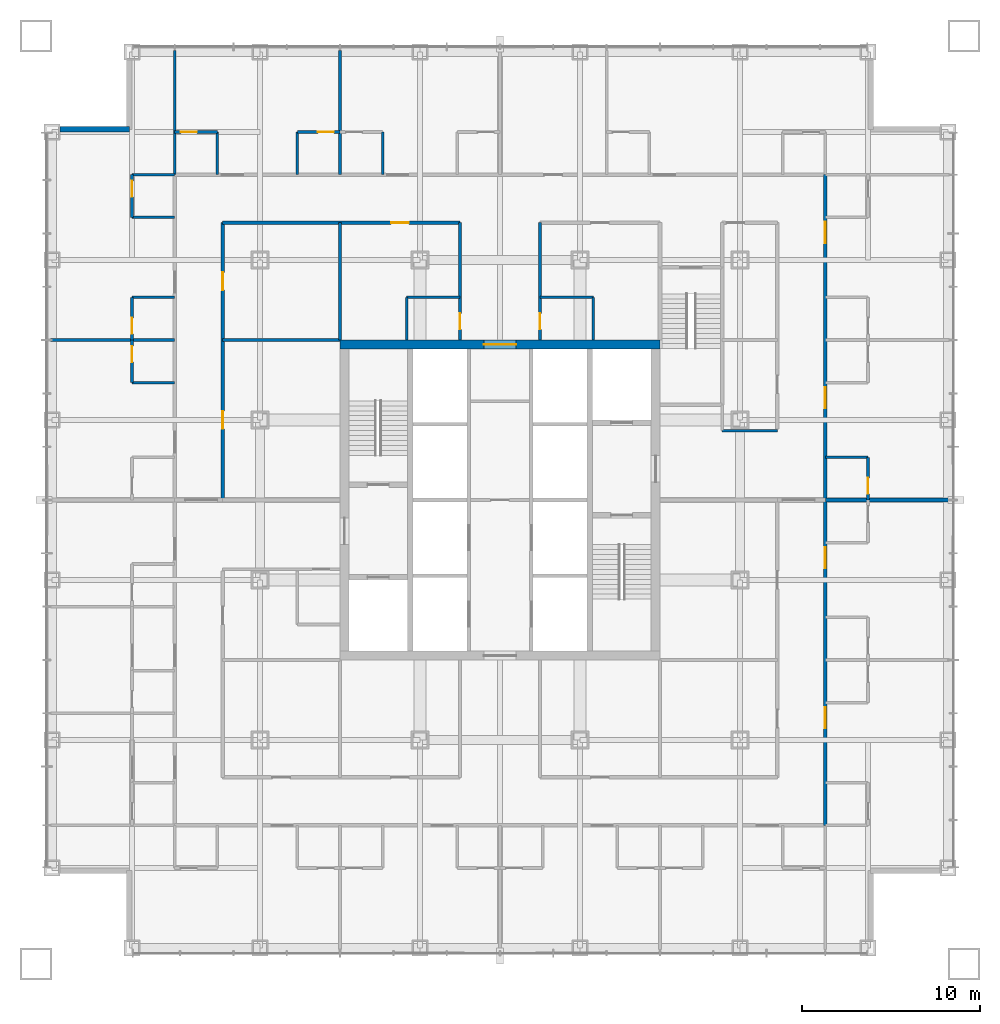
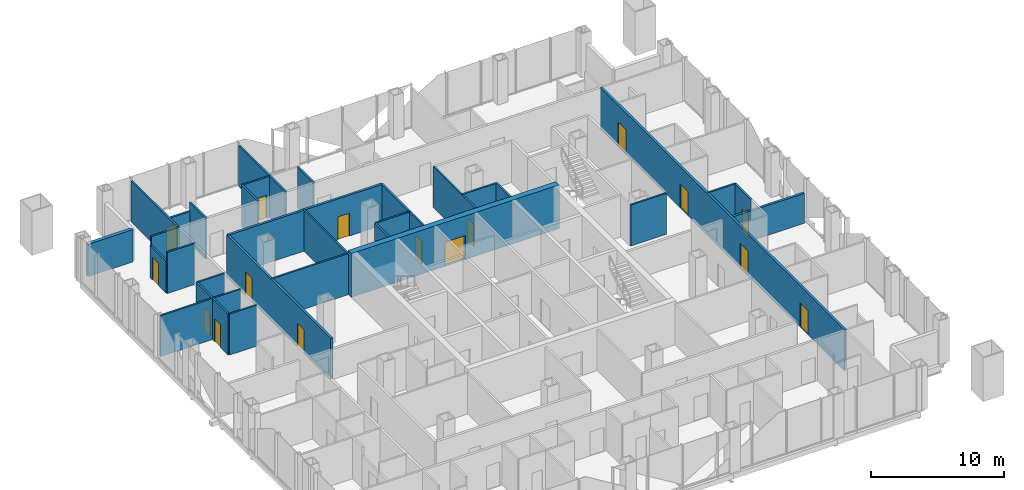
# One storey, part 10 of 13: 32 walls, 16 doors, 16 openings.
"""IFC4 building model written with IfcOpenShell, lengths in metres."""

import ifcopenshell
import ifcopenshell.guid

model = None  # the IFC model being written
_history = None  # IfcOwnerHistory: only IFC2X3 demands one
_inside = {}  # id of a spatial element -> (the spatial element, [elements in it])
_under = {}  # id of a project, library or spatial element -> (it, [spatial elements below it])
_declared = {}  # id of a project -> (the project, [libraries it declares])
_typed = {}  # id of a type object -> (the type object, [elements of that type])
_made_of = {}  # id of a material, layer set ... -> (it, [elements and type objects made of it])


def new_model(schema):
    """Start an empty IFC model of exactly this schema.

    Asked for "IFC4X3", IfcOpenShell would pick the latest addendum, in which some entities
    have other attributes; the version numbers below select the first issue.
    IFC2X3 requires an IfcOwnerHistory on every rooted entity: one is made here for all.
    """
    global model, _history
    if schema == "IFC4X3":
        model = ifcopenshell.file(schema_version=(4, 3, 0, 0))
    else:
        model = ifcopenshell.file(schema=schema)
    _inside.clear()
    _under.clear()
    _declared.clear()
    _typed.clear()
    _made_of.clear()
    _history = None
    if model.schema == "IFC2X3":
        org = make("IfcOrganization", Name="unknown")
        user = make(
            "IfcPersonAndOrganization",
            ThePerson=make("IfcPerson", FamilyName="unknown"),
            TheOrganization=org,
        )
        app = make(
            "IfcApplication",
            ApplicationDeveloper=org,
            Version="unknown",
            ApplicationFullName="unknown",
            ApplicationIdentifier="unknown",
        )
        _history = make(
            "IfcOwnerHistory",
            OwningUser=user,
            OwningApplication=app,
            ChangeAction="ADDED",
            CreationDate=0,
        )
    return model


def make(cls, **values):
    """One entity of the class cls with the attributes given. An attribute that is None is left unset."""
    return model.create_entity(
        cls, **{name: value for name, value in values.items() if value is not None}
    )


def rooted(cls, **values):
    """An entity with a GlobalId (a new one), such as an element, a storey or a relation."""
    return make(cls, GlobalId=ifcopenshell.guid.new(), OwnerHistory=_history, **values)


def si_unit(unit_type, name, prefix=None):
    """IfcSIUnit, for example si_unit("LENGTHUNIT", "METRE", prefix="MILLI")."""
    return make("IfcSIUnit", UnitType=unit_type, Prefix=prefix, Name=name)


def assignment(units):
    """IfcUnitAssignment: the units of a project."""
    return None if units is None else make("IfcUnitAssignment", Units=units)


def point(xyz):
    """IfcCartesianPoint."""
    return None if xyz is None else make("IfcCartesianPoint", Coordinates=xyz)


def direction(xyz):
    """IfcDirection."""
    return None if xyz is None else make("IfcDirection", DirectionRatios=xyz)


def frame(location, z_axis=None, x_axis=None):
    """IfcAxis2Placement3D, a coordinate frame: its origin and axes. An axis left out is left unset."""
    return make(
        "IfcAxis2Placement3D",
        Location=point(location),
        Axis=direction(z_axis),
        RefDirection=direction(x_axis),
    )


def frame_2d(location, x_axis=None):
    """IfcAxis2Placement2D, a coordinate frame in the plane: its origin and x axis."""
    return make(
        "IfcAxis2Placement2D", Location=point(location), RefDirection=direction(x_axis)
    )


def origin():
    """The frame at (0, 0, 0) with its axes left unset."""
    return frame((0.0, 0.0, 0.0))


def place(relative_to, where):
    """IfcLocalPlacement: puts the frame where relative to a parent placement (None: the world)."""
    return make(
        "IfcLocalPlacement", PlacementRelTo=relative_to, RelativePlacement=where
    )


def context(
    kind, dimensions, precision=None, world=None, true_north=None, identifier=None
):
    """IfcGeometricRepresentationContext, for example the 3D "Model" context."""
    return make(
        "IfcGeometricRepresentationContext",
        ContextIdentifier=identifier,
        ContextType=kind,
        CoordinateSpaceDimension=dimensions,
        Precision=precision,
        WorldCoordinateSystem=world,
        TrueNorth=true_north,
    )


def subcontext(parent, identifier, kind, view, scale=None):
    """IfcGeometricRepresentationSubContext, for example "Body" below "Model"."""
    return make(
        "IfcGeometricRepresentationSubContext",
        ContextIdentifier=identifier,
        ContextType=kind,
        ParentContext=parent,
        TargetScale=scale,
        TargetView=view,
    )


def project(units=None, contexts=None):
    """IfcProject with its units and contexts."""
    return rooted(
        "IfcProject",
        Name="project",
        RepresentationContexts=contexts,
        UnitsInContext=assignment(units),
    )


def spatial(cls, under=None, at=None, **own):
    """A site, building, storey or space (cls), placed at a placement, below another one or the project."""
    s = rooted(cls, ObjectPlacement=at, **own)
    if under is not None:
        _under.setdefault(under.id(), (under, []))[1].append(s)
    return s


def profile(cls, at=None, kind="AREA", **sizes):
    """A parametric profile (cls). Its sizes go by their IFC names, for example OverallWidth=200.0."""
    return make(cls, ProfileType=kind, Position=at, **sizes)


def rectangle(**sizes):
    """IfcRectangleProfileDef."""
    return profile("IfcRectangleProfileDef", **sizes)


def extrude(swept, where, along, depth):
    """IfcExtrudedAreaSolid: the profile swept, set in the frame where, extruded along a direction by depth."""
    return make(
        "IfcExtrudedAreaSolid",
        SweptArea=swept,
        Position=where,
        ExtrudedDirection=direction(along),
        Depth=depth,
    )


def shape(context_of_items, identifier, shape_type, items):
    """IfcShapeRepresentation: the items that make up one representation, for example the "Body"."""
    return make(
        "IfcShapeRepresentation",
        ContextOfItems=context_of_items,
        RepresentationIdentifier=identifier,
        RepresentationType=shape_type,
        Items=items,
    )


def material(Name=None, Category=None):
    """IfcMaterial."""
    return make("IfcMaterial", Name=Name, Category=Category)


def layer(
    of_material, thickness, ventilated=None, Name=None, Category=None, Priority=None
):
    """IfcMaterialLayer: one layer of a wall or slab, of a material (None: an air gap)."""
    return make(
        "IfcMaterialLayer",
        Material=of_material,
        LayerThickness=thickness,
        IsVentilated=ventilated,
        Name=Name,
        Category=Category,
        Priority=Priority,
    )


def layer_set(layers, Name=None):
    """IfcMaterialLayerSet."""
    return make("IfcMaterialLayerSet", MaterialLayers=layers, LayerSetName=Name)


def made_of(thing, what):
    """Note that an element or type object is made of a material, layer set ...; save() writes the relation."""
    if what is not None:
        _made_of.setdefault(what.id(), (what, []))[1].append(thing)
    return thing


def type_object(cls, material=None, **own):
    """A type object (cls), such as IfcWallType, which elements share."""
    return made_of(rooted(cls, **own), material)


def element(
    cls,
    number,
    at=None,
    inside=None,
    cuts=None,
    type_object=None,
    material=None,
    context=None,
    identifier="Body",
    shape_type=None,
    held_by="IfcProductDefinitionShape",
    body=None,
    shapes=None,
    **own,
):
    """One element of the class cls, such as IfcWall. Its Tag is "e" and its number.

    at: its placement. inside: the storey or other place that contains it. cuts: it is an
    opening in that element (IfcRelVoidsElement). A single representation is given by context,
    identifier, shape_type and body (its items); several are given by shapes. held_by: the class
    of the entity that holds the representations. save() writes the other relations.
    """
    e = rooted(cls, Tag="e%d" % number, ObjectPlacement=at, **own)
    if body is not None:
        shapes = [shape(context, identifier, shape_type, body)]
    if shapes is not None:
        e.Representation = make(held_by, Representations=shapes)
    if inside is not None:
        _inside.setdefault(inside.id(), (inside, []))[1].append(e)
    if cuts is not None:
        rooted(
            "IfcRelVoidsElement", RelatingBuildingElement=cuts, RelatedOpeningElement=e
        )
    if type_object is not None:
        _typed.setdefault(type_object.id(), (type_object, []))[1].append(e)
    return made_of(e, material)


def fill(opening, filler):
    """IfcRelFillsElement: the door or window that sits in an opening."""
    return rooted(
        "IfcRelFillsElement",
        RelatingOpeningElement=opening,
        RelatedBuildingElement=filler,
    )


def aggregate(whole, parts):
    """IfcRelAggregates: a whole, such as a stair, and the parts it consists of."""
    return rooted("IfcRelAggregates", RelatingObject=whole, RelatedObjects=parts)


def save(model, path):
    """Write the relations noted so far, then the file.

    IfcRelAggregates (storeys below a building ...), IfcRelContainedInSpatialStructure (elements
    in a storey), IfcRelDefinesByType, IfcRelAssociatesMaterial and IfcRelDeclares: one each for
    every whole, place, type object, material and project.
    """
    for whole, parts in _under.values():
        aggregate(whole, parts)
    for where, things in _inside.values():
        rooted(
            "IfcRelContainedInSpatialStructure",
            RelatedElements=things,
            RelatingStructure=where,
        )
    for kind, things in _typed.values():
        rooted("IfcRelDefinesByType", RelatedObjects=things, RelatingType=kind)
    for what, things in _made_of.values():
        rooted("IfcRelAssociatesMaterial", RelatedObjects=things, RelatingMaterial=what)
    for by, libraries in _declared.values():
        rooted("IfcRelDeclares", RelatingContext=by, RelatedDefinitions=libraries)
    model.write(path)


model = new_model("IFC4")

# Units and contexts
model_context = context("Model", 3, precision=1e-05, world=origin(), true_north=direction((0.0, 1.0)))
body_context = subcontext(model_context, "Body", "Model", "MODEL_VIEW")
ifc_project = project(units=[si_unit("LENGTHUNIT", "METRE"), si_unit("AREAUNIT", "SQUARE_METRE"), si_unit("VOLUMEUNIT", "CUBIC_METRE"), si_unit("PLANEANGLEUNIT", "RADIAN"), si_unit("MASSUNIT", "GRAM", prefix="KILO")], contexts=[model_context])

# Site, building, storey
site_placement = place(None, origin())
site = spatial("IfcSite", under=ifc_project, at=site_placement, CompositionType="ELEMENT")
building_placement = place(site_placement, origin())
building = spatial("IfcBuilding", under=site, at=building_placement, Name="Malebo Sky Hospital", CompositionType="ELEMENT")
storey_placement = place(building_placement, frame((0.0, 0.0, 47.0)))
storey = spatial("IfcBuildingStorey", under=building, at=storey_placement, Name="L10", CompositionType="ELEMENT", Elevation=47.0)

# Wall, opening, door
ifc_material_1 = material(Name="Concrete C80/95", Category="concrete")
ifc_layer_1 = layer(ifc_material_1, 0.5)
ifc_layer_set_1 = layer_set([ifc_layer_1], Name="CORE WALL 500")
wall_type_1 = type_object("IfcWallType", Name="CORE WALL 500", PredefinedType="SHEAR", material=ifc_layer_set_1)
wall_1_placement = place(storey_placement, frame((51.0, 70.75, 0.0), z_axis=(0.0, 0.0, 1.0), x_axis=(1.0, 0.0, 0.0)))
wall_1 = element("IfcWall", 1, at=wall_1_placement, inside=storey, type_object=wall_type_1, Name="Core wall N L10", PredefinedType="SHEAR", context=body_context, shape_type="SweptSolid", body=[
    extrude(rectangle(XDim=18.0, YDim=0.5, at=frame_2d((9.0, 0.0))), origin(), (0.0, 0.0, 1.0), 4.0),
])
opening_1_placement = place(wall_1_placement, frame((8.10009765625, 0.0, 0.0)))
opening_1 = element("IfcOpeningElement", 2, at=opening_1_placement, cuts=wall_1, Name="Opening D06", PredefinedType="OPENING", context=body_context, shape_type="SweptSolid", body=[
    extrude(rectangle(XDim=1.800048828125, YDim=2.199951171875, at=frame_2d((0.89990234375, 1.10009765625))), frame((0.0, 0.260009765625, 0.0), z_axis=(0.0, -1.0, 0.0), x_axis=(1.0, 0.0, 0.0)), (0.0, 0.0, 1.0), 0.52001953125),
])
ifc_material_2 = material(Name="Hardwood-faced door leaf in steel frame", Category="steel")
door_type_1 = type_object("IfcDoorType", Name="LOBBY DOOR PAIR 1800", OperationType="DOUBLE_DOOR_SINGLE_SWING", PredefinedType="DOOR", material=ifc_material_2)
door_1_placement = place(opening_1_placement, origin())
door_1 = element("IfcDoor", 3, at=door_1_placement, inside=storey, type_object=door_type_1, Name="vending room door north", OperationType="DOUBLE_DOOR_SINGLE_SWING", OverallHeight=2.199951171875, OverallWidth=1.800048828125, PredefinedType="DOOR", context=body_context, shape_type="SweptSolid", body=[
    extrude(rectangle(XDim=1.800048828125, YDim=2.199951171875, at=frame_2d((0.89990234375, 1.10009765625))), frame((0.0, 0.02490234375, 0.0), z_axis=(0.0, -1.0, 0.0), x_axis=(1.0, 0.0, 0.0)), (0.0, 0.0, 1.0), 0.050048828125),
])
fill(opening_1, door_1)

ifc_material_3 = material(Name="Gypsum board on steel studs", Category="steel")
ifc_layer_2 = layer(ifc_material_3, 0.199951171875)
ifc_layer_set_2 = layer_set([ifc_layer_2], Name="CORRIDOR WALL 200")
wall_type_2 = type_object("IfcWallType", Name="CORRIDOR WALL 200", PredefinedType="PARTITIONING", material=ifc_layer_set_2)
wall_2_placement = place(storey_placement, frame((44.39990234375, 77.60009765625, 0.0), z_axis=(0.0, 0.0, 1.0), x_axis=(1.0, 0.0, 0.0)))
wall_2 = element("IfcWall", 4, at=wall_2_placement, inside=storey, type_object=wall_type_2, Name="Corridor Wall 200 NCI1", PredefinedType="PARTITIONING", context=body_context, shape_type="SweptSolid", body=[
    extrude(rectangle(XDim=13.35009765625, YDim=0.199951171875, at=frame_2d((6.675048828125, 0.0))), origin(), (0.0, 0.0, 1.0), 3.75),
])
opening_2_placement = place(wall_2_placement, frame((9.47509765625, 0.0, 0.0)))
opening_2 = element("IfcOpeningElement", 5, at=opening_2_placement, cuts=wall_2, Name="Opening D03", PredefinedType="OPENING", context=body_context, shape_type="SweptSolid", body=[
    extrude(rectangle(XDim=1.0, YDim=2.10009765625, at=frame_2d((0.5, 1.050048828125))), frame((0.0, 0.10986328125, 0.0), z_axis=(0.0, -1.0, 0.0), x_axis=(1.0, 0.0, 0.0)), (0.0, 0.0, 1.0), 0.219970703125),
])
door_type_2 = type_object("IfcDoorType", Name="ROOM DOOR 1000", OperationType="SINGLE_SWING_LEFT", PredefinedType="DOOR", material=ifc_material_2)
door_2_placement = place(opening_2_placement, origin())
door_2 = element("IfcDoor", 6, at=door_2_placement, inside=storey, type_object=door_type_2, Name="Ward office door", OperationType="SINGLE_SWING_LEFT", OverallHeight=2.10009765625, OverallWidth=1.0, PredefinedType="DOOR", context=body_context, shape_type="SweptSolid", body=[
    extrude(rectangle(XDim=1.0, YDim=2.10009765625, at=frame_2d((0.5, 1.050048828125))), frame((0.0, 0.02490234375, 0.0), z_axis=(0.0, -1.0, 0.0), x_axis=(1.0, 0.0, 0.0)), (0.0, 0.0, 1.0), 0.050048828125),
])
fill(opening_2, door_2)

# Wall, openings, doors
wall_3_placement = place(storey_placement, frame((44.39990234375, 62.0, 0.0), z_axis=(0.0, 0.0, 1.0), x_axis=(0.0, 1.0, 0.0)))
wall_3 = element("IfcWall", 7, at=wall_3_placement, inside=storey, type_object=wall_type_2, Name="Corridor Wall 200 WCI2", PredefinedType="PARTITIONING", context=body_context, shape_type="SweptSolid", body=[
    extrude(rectangle(XDim=15.60009765625, YDim=0.199951171875, at=frame_2d((7.800048828125, 0.0))), origin(), (0.0, 0.0, 1.0), 3.75),
])
opening_3_placement = place(wall_3_placement, frame((4.0, 0.0, 0.0)))
opening_3 = element("IfcOpeningElement", 8, at=opening_3_placement, cuts=wall_3, Name="Opening D03", PredefinedType="OPENING", context=body_context, shape_type="SweptSolid", body=[
    extrude(rectangle(XDim=1.0, YDim=2.10009765625, at=frame_2d((0.5, 1.050048828125))), frame((0.0, 0.10986328125, 0.0), z_axis=(0.0, -1.0, 0.0), x_axis=(1.0, 0.0, 0.0)), (0.0, 0.0, 1.0), 0.219970703125),
])
opening_4_placement = place(wall_3_placement, frame((11.800048828125, 0.0, 0.0)))
opening_4 = element("IfcOpeningElement", 9, at=opening_4_placement, cuts=wall_3, Name="Opening D03", PredefinedType="OPENING", context=body_context, shape_type="SweptSolid", body=[
    extrude(rectangle(XDim=1.0, YDim=2.10009765625, at=frame_2d((0.5, 1.050048828125))), frame((0.0, 0.10986328125, 0.0), z_axis=(0.0, -1.0, 0.0), x_axis=(1.0, 0.0, 0.0)), (0.0, 0.0, 1.0), 0.219970703125),
])
door_3_placement = place(opening_3_placement, origin())
door_3 = element("IfcDoor", 10, at=door_3_placement, inside=storey, type_object=door_type_2, Name="Nurse station door", OperationType="SINGLE_SWING_LEFT", OverallHeight=2.10009765625, OverallWidth=1.0, PredefinedType="DOOR", context=body_context, shape_type="SweptSolid", body=[
    extrude(rectangle(XDim=1.0, YDim=2.10009765625, at=frame_2d((0.5, 1.050048828125))), frame((0.0, 0.02490234375, 0.0), z_axis=(0.0, -1.0, 0.0), x_axis=(1.0, 0.0, 0.0)), (0.0, 0.0, 1.0), 0.050048828125),
])
fill(opening_3, door_3)
door_4_placement = place(opening_4_placement, origin())
door_4 = element("IfcDoor", 11, at=door_4_placement, inside=storey, type_object=door_type_2, Name="Staff base door", OperationType="SINGLE_SWING_RIGHT", OverallHeight=2.10009765625, OverallWidth=1.0, PredefinedType="DOOR", context=body_context, shape_type="SweptSolid", body=[
    extrude(rectangle(XDim=1.0, YDim=2.10009765625, at=frame_2d((0.5, 1.050048828125))), frame((0.0, 0.02490234375, 0.0), z_axis=(0.0, -1.0, 0.0), x_axis=(1.0, 0.0, 0.0)), (0.0, 0.0, 1.0), 0.050048828125),
])
fill(opening_4, door_4)

wall_4_placement = place(storey_placement, frame((78.300048828125, 80.300048828125, 0.0), z_axis=(0.0, 0.0, 1.0), x_axis=(0.0, -1.0, 0.0)))
wall_4 = element("IfcWall", 12, at=wall_4_placement, inside=storey, type_object=wall_type_2, Name="Corridor Wall 200 ECO", PredefinedType="PARTITIONING", context=body_context, shape_type="SweptSolid", body=[
    extrude(rectangle(XDim=36.60009765625, YDim=0.199951171875, at=frame_2d((18.300048828125, 0.0))), origin(), (0.0, 0.0, 1.0), 3.75),
])
opening_5_placement = place(wall_4_placement, frame((2.64990234375, 0.0, 0.0)))
opening_5 = element("IfcOpeningElement", 13, at=opening_5_placement, cuts=wall_4, Name="Opening D01", PredefinedType="OPENING", context=body_context, shape_type="SweptSolid", body=[
    extrude(rectangle(XDim=1.199951171875, YDim=2.199951171875, at=frame_2d((0.60009765625, 1.10009765625))), frame((0.0, 0.10986328125, 0.0), z_axis=(0.0, -1.0, 0.0), x_axis=(1.0, 0.0, 0.0)), (0.0, 0.0, 1.0), 0.219970703125),
])
opening_6_placement = place(wall_4_placement, frame((11.949951171875, 0.0, 0.0)))
opening_6 = element("IfcOpeningElement", 14, at=opening_6_placement, cuts=wall_4, Name="Opening D01", PredefinedType="OPENING", context=body_context, shape_type="SweptSolid", body=[
    extrude(rectangle(XDim=1.199951171875, YDim=2.199951171875, at=frame_2d((0.60009765625, 1.10009765625))), frame((0.0, 0.10986328125, 0.0), z_axis=(0.0, -1.0, 0.0), x_axis=(1.0, 0.0, 0.0)), (0.0, 0.0, 1.0), 0.219970703125),
])
opening_7_placement = place(wall_4_placement, frame((20.949951171875, 0.0, 0.0)))
opening_7 = element("IfcOpeningElement", 15, at=opening_7_placement, cuts=wall_4, Name="Opening D01", PredefinedType="OPENING", context=body_context, shape_type="SweptSolid", body=[
    extrude(rectangle(XDim=1.199951171875, YDim=2.199951171875, at=frame_2d((0.60009765625, 1.10009765625))), frame((0.0, 0.10986328125, 0.0), z_axis=(0.0, -1.0, 0.0), x_axis=(1.0, 0.0, 0.0)), (0.0, 0.0, 1.0), 0.219970703125),
])
opening_8_placement = place(wall_4_placement, frame((29.949951171875, 0.0, 0.0)))
opening_8 = element("IfcOpeningElement", 16, at=opening_8_placement, cuts=wall_4, Name="Opening D01", PredefinedType="OPENING", context=body_context, shape_type="SweptSolid", body=[
    extrude(rectangle(XDim=1.199951171875, YDim=2.199951171875, at=frame_2d((0.60009765625, 1.10009765625))), frame((0.0, 0.10986328125, 0.0), z_axis=(0.0, -1.0, 0.0), x_axis=(1.0, 0.0, 0.0)), (0.0, 0.0, 1.0), 0.219970703125),
])
door_type_3 = type_object("IfcDoorType", Name="BED DOOR 1200", OperationType="SINGLE_SWING_LEFT", PredefinedType="DOOR", material=ifc_material_2)
door_5_placement = place(opening_5_placement, origin())
door_5 = element("IfcDoor", 17, at=door_5_placement, inside=storey, type_object=door_type_3, Name="Four-bed bay door", OperationType="SINGLE_SWING_LEFT", OverallHeight=2.199951171875, OverallWidth=1.199951171875, PredefinedType="DOOR", context=body_context, shape_type="SweptSolid", body=[
    extrude(rectangle(XDim=1.199951171875, YDim=2.199951171875, at=frame_2d((0.60009765625, 1.10009765625))), frame((0.0, 0.02490234375, 0.0), z_axis=(0.0, -1.0, 0.0), x_axis=(1.0, 0.0, 0.0)), (0.0, 0.0, 1.0), 0.050048828125),
])
fill(opening_5, door_5)
door_6_placement = place(opening_6_placement, origin())
door_6 = element("IfcDoor", 18, at=door_6_placement, inside=storey, type_object=door_type_3, Name="Four-bed bay door", OperationType="SINGLE_SWING_LEFT", OverallHeight=2.199951171875, OverallWidth=1.199951171875, PredefinedType="DOOR", context=body_context, shape_type="SweptSolid", body=[
    extrude(rectangle(XDim=1.199951171875, YDim=2.199951171875, at=frame_2d((0.60009765625, 1.10009765625))), frame((0.0, 0.02490234375, 0.0), z_axis=(0.0, -1.0, 0.0), x_axis=(1.0, 0.0, 0.0)), (0.0, 0.0, 1.0), 0.050048828125),
])
fill(opening_6, door_6)
door_7_placement = place(opening_7_placement, origin())
door_7 = element("IfcDoor", 19, at=door_7_placement, inside=storey, type_object=door_type_3, Name="Four-bed bay door", OperationType="SINGLE_SWING_LEFT", OverallHeight=2.199951171875, OverallWidth=1.199951171875, PredefinedType="DOOR", context=body_context, shape_type="SweptSolid", body=[
    extrude(rectangle(XDim=1.199951171875, YDim=2.199951171875, at=frame_2d((0.60009765625, 1.10009765625))), frame((0.0, 0.02490234375, 0.0), z_axis=(0.0, -1.0, 0.0), x_axis=(1.0, 0.0, 0.0)), (0.0, 0.0, 1.0), 0.050048828125),
])
fill(opening_7, door_7)
door_8_placement = place(opening_8_placement, origin())
door_8 = element("IfcDoor", 20, at=door_8_placement, inside=storey, type_object=door_type_3, Name="Four-bed bay door", OperationType="SINGLE_SWING_LEFT", OverallHeight=2.199951171875, OverallWidth=1.199951171875, PredefinedType="DOOR", context=body_context, shape_type="SweptSolid", body=[
    extrude(rectangle(XDim=1.199951171875, YDim=2.199951171875, at=frame_2d((0.60009765625, 1.10009765625))), frame((0.0, 0.02490234375, 0.0), z_axis=(0.0, -1.0, 0.0), x_axis=(1.0, 0.0, 0.0)), (0.0, 0.0, 1.0), 0.050048828125),
])
fill(opening_8, door_8)

# Walls
ifc_material_4 = material(Name="Anodised aluminium rainscreen on steel framing", Category="steel")
ifc_layer_3 = layer(ifc_material_4, 0.300048828125)
ifc_layer_set_3 = layer_set([ifc_layer_3], Name="NOTCH RAINSCREEN WALL 300")
wall_type_3 = type_object("IfcWallType", Name="NOTCH RAINSCREEN WALL 300", PredefinedType="ELEMENTEDWALL", material=ifc_layer_set_3)
wall_5_placement = place(storey_placement, frame((35.25, 82.85009765625, 0.0), z_axis=(0.0, 0.0, 1.0), x_axis=(1.0, 0.0, 0.0)))
element("IfcWall", 21, at=wall_5_placement, inside=storey, type_object=wall_type_3, Name="Notch rainscreen wall W1 L10", PredefinedType="ELEMENTEDWALL", context=body_context, shape_type="SweptSolid", body=[
    extrude(rectangle(XDim=3.89990234375, YDim=0.300048828125, at=frame_2d((1.949951171875, 0.0))), origin(), (0.0, 0.0, 1.0), 2.949951171875),
])
ifc_layer_4 = layer(ifc_material_3, 0.14990234375)
ifc_layer_set_4 = layer_set([ifc_layer_4], Name="PARTITION 150")
wall_type_4 = type_object("IfcWallType", Name="PARTITION 150", PredefinedType="PARTITIONING", material=ifc_layer_set_4)
for number, where, z_axis, x_axis, name in (
    (22, (51.0, 80.300048828125, 0.0), (0.0, 0.0, 1.0), (0.0, 1.0, 0.0), "Partition 150 NP-9.0"),
    (23, (41.699951171875, 80.300048828125, 0.0), (0.0, 0.0, 1.0), (0.0, 1.0, 0.0), "Partition 150 NP0"),
):
    element("IfcWall", number, at=place(storey_placement, frame(where, z_axis=z_axis, x_axis=x_axis)), inside=storey, type_object=wall_type_4, Name=name, PredefinedType="PARTITIONING", context=body_context, shape_type="SweptSolid", body=[
        extrude(rectangle(XDim=6.974853515625, YDim=0.14990234375, at=frame_2d((3.4873046875, 0.0))), origin(), (0.0, 0.0, 1.0), 3.75),
    ])

# Wall, opening, door
wall_6_placement = place(storey_placement, frame((41.699951171875, 82.699951171875, 0.0), z_axis=(0.0, 0.0, 1.0), x_axis=(1.0, 0.0, 0.0)))
wall_6 = element("IfcWall", 24, at=wall_6_placement, inside=storey, type_object=wall_type_4, Name="Partition 150 NE0F", PredefinedType="PARTITIONING", context=body_context, shape_type="SweptSolid", body=[
    extrude(rectangle(XDim=2.400146484375, YDim=0.14990234375, at=frame_2d((1.2001953125, 0.0))), origin(), (0.0, 0.0, 1.0), 2.949951171875),
])
opening_9_placement = place(wall_6_placement, frame((0.35009765625, 0.0, 0.0)))
opening_9 = element("IfcOpeningElement", 25, at=opening_9_placement, cuts=wall_6, Name="Opening D02", PredefinedType="OPENING", context=body_context, shape_type="SweptSolid", body=[
    extrude(rectangle(XDim=0.89990234375, YDim=2.10009765625, at=frame_2d((0.449951171875, 1.050048828125))), frame((0.0, 0.0849609375, 0.0), z_axis=(0.0, -1.0, 0.0), x_axis=(1.0, 0.0, 0.0)), (0.0, 0.0, 1.0), 0.169921875),
])
door_type_4 = type_object("IfcDoorType", Name="EN-SUITE DOOR 900", OperationType="SINGLE_SWING_LEFT", PredefinedType="DOOR", material=ifc_material_2)
door_9_placement = place(opening_9_placement, origin())
door_9 = element("IfcDoor", 26, at=door_9_placement, inside=storey, type_object=door_type_4, Name="En-suite door", OperationType="SINGLE_SWING_LEFT", OverallHeight=2.10009765625, OverallWidth=0.89990234375, PredefinedType="DOOR", context=body_context, shape_type="SweptSolid", body=[
    extrude(rectangle(XDim=0.89990234375, YDim=2.10009765625, at=frame_2d((0.449951171875, 1.050048828125))), frame((0.0, 0.02490234375, 0.0), z_axis=(0.0, -1.0, 0.0), x_axis=(1.0, 0.0, 0.0)), (0.0, 0.0, 1.0), 0.050048828125),
])
fill(opening_9, door_9)

# Wall
wall_7_placement = place(storey_placement, frame((44.10009765625, 80.300048828125, 0.0), z_axis=(0.0, 0.0, 1.0), x_axis=(0.0, 1.0, 0.0)))
element("IfcWall", 27, at=wall_7_placement, inside=storey, type_object=wall_type_4, Name="Partition 150 NE0S", PredefinedType="PARTITIONING", context=body_context, shape_type="SweptSolid", body=[
    extrude(rectangle(XDim=2.39990234375, YDim=0.14990234375, at=frame_2d((1.199951171875, 0.0))), origin(), (0.0, 0.0, 1.0), 3.75),
])

# Wall, opening, door
wall_8_placement = place(storey_placement, frame((48.60009765625, 82.699951171875, 0.0), z_axis=(0.0, 0.0, 1.0), x_axis=(1.0, 0.0, 0.0)))
wall_8 = element("IfcWall", 28, at=wall_8_placement, inside=storey, type_object=wall_type_4, Name="Partition 150 NG0F", PredefinedType="PARTITIONING", context=body_context, shape_type="SweptSolid", body=[
    extrude(rectangle(XDim=2.39990234375, YDim=0.14990234375, at=frame_2d((1.199951171875, 0.0))), origin(), (0.0, 0.0, 1.0), 3.75),
])
opening_10_placement = place(wall_8_placement, frame((1.14990234375, 0.0, 0.0)))
opening_10 = element("IfcOpeningElement", 29, at=opening_10_placement, cuts=wall_8, Name="Opening D02", PredefinedType="OPENING", context=body_context, shape_type="SweptSolid", body=[
    extrude(rectangle(XDim=0.89990234375, YDim=2.10009765625, at=frame_2d((0.449951171875, 1.050048828125))), frame((0.0, 0.0849609375, 0.0), z_axis=(0.0, -1.0, 0.0), x_axis=(1.0, 0.0, 0.0)), (0.0, 0.0, 1.0), 0.169921875),
])
door_10_placement = place(opening_10_placement, origin())
door_10 = element("IfcDoor", 30, at=door_10_placement, inside=storey, type_object=door_type_4, Name="En-suite door", OperationType="SINGLE_SWING_RIGHT", OverallHeight=2.10009765625, OverallWidth=0.89990234375, PredefinedType="DOOR", context=body_context, shape_type="SweptSolid", body=[
    extrude(rectangle(XDim=0.89990234375, YDim=2.10009765625, at=frame_2d((0.449951171875, 1.050048828125))), frame((0.0, 0.02490234375, 0.0), z_axis=(0.0, -1.0, 0.0), x_axis=(1.0, 0.0, 0.0)), (0.0, 0.0, 1.0), 0.050048828125),
])
fill(opening_10, door_10)

# Walls
for number, where, z_axis, x_axis, name in (
    (31, (48.60009765625, 80.300048828125, 0.0), (0.0, 0.0, 1.0), (0.0, 1.0, 0.0), "Partition 150 NG0S"),
    (32, (53.39990234375, 80.300048828125, 0.0), (0.0, 0.0, 1.0), (0.0, 1.0, 0.0), "Partition 150 NE1S"),
):
    element("IfcWall", number, at=place(storey_placement, frame(where, z_axis=z_axis, x_axis=x_axis)), inside=storey, type_object=wall_type_4, Name=name, PredefinedType="PARTITIONING", context=body_context, shape_type="SweptSolid", body=[
        extrude(rectangle(XDim=2.39990234375, YDim=0.14990234375, at=frame_2d((1.199951171875, 0.0))), origin(), (0.0, 0.0, 1.0), 3.75),
    ])
wall_9_placement = place(storey_placement, frame((51.0, 71.0, 0.0), z_axis=(0.0, 0.0, 1.0), x_axis=(0.0, 1.0, 0.0)))
element("IfcWall", 33, at=wall_9_placement, inside=storey, type_object=wall_type_4, Name="Partition 150 NSP0", PredefinedType="PARTITIONING", context=body_context, shape_type="SweptSolid", body=[
    extrude(rectangle(XDim=6.60009765625, YDim=0.14990234375, at=frame_2d((3.300048828125, 0.0))), origin(), (0.0, 0.0, 1.0), 3.75),
])

# Wall, opening, door
wall_10_placement = place(storey_placement, frame((57.75, 71.0, 0.0), z_axis=(0.0, 0.0, 1.0), x_axis=(0.0, 1.0, 0.0)))
wall_10 = element("IfcWall", 34, at=wall_10_placement, inside=storey, type_object=wall_type_4, Name="Partition 150 NSPA", PredefinedType="PARTITIONING", context=body_context, shape_type="SweptSolid", body=[
    extrude(rectangle(XDim=6.60009765625, YDim=0.14990234375, at=frame_2d((3.300048828125, 0.0))), origin(), (0.0, 0.0, 1.0), 3.75),
])
opening_11_placement = place(wall_10_placement, frame((0.60009765625, 0.0, 0.0)))
opening_11 = element("IfcOpeningElement", 35, at=opening_11_placement, cuts=wall_10, Name="Opening D04", PredefinedType="OPENING", context=body_context, shape_type="SweptSolid", body=[
    extrude(rectangle(XDim=0.89990234375, YDim=2.10009765625, at=frame_2d((0.449951171875, 1.050048828125))), frame((0.0, 0.0849609375, 0.0), z_axis=(0.0, -1.0, 0.0), x_axis=(1.0, 0.0, 0.0)), (0.0, 0.0, 1.0), 0.169921875),
])
door_type_5 = type_object("IfcDoorType", Name="ROOM DOOR 900", OperationType="SINGLE_SWING_LEFT", PredefinedType="DOOR", material=ifc_material_2)
door_11_placement = place(opening_11_placement, origin())
door_11 = element("IfcDoor", 36, at=door_11_placement, inside=storey, type_object=door_type_5, Name="Staff WC door", OperationType="SINGLE_SWING_LEFT", OverallHeight=2.10009765625, OverallWidth=0.89990234375, PredefinedType="DOOR", context=body_context, shape_type="SweptSolid", body=[
    extrude(rectangle(XDim=0.89990234375, YDim=2.10009765625, at=frame_2d((0.449951171875, 1.050048828125))), frame((0.0, 0.02490234375, 0.0), z_axis=(0.0, -1.0, 0.0), x_axis=(1.0, 0.0, 0.0)), (0.0, 0.0, 1.0), 0.050048828125),
])
fill(opening_11, door_11)

wall_11_placement = place(storey_placement, frame((62.25, 71.0, 0.0), z_axis=(0.0, 0.0, 1.0), x_axis=(0.0, 1.0, 0.0)))
wall_11 = element("IfcWall", 37, at=wall_11_placement, inside=storey, type_object=wall_type_4, Name="Partition 150 NSPB", PredefinedType="PARTITIONING", context=body_context, shape_type="SweptSolid", body=[
    extrude(rectangle(XDim=6.60009765625, YDim=0.14990234375, at=frame_2d((3.300048828125, 0.0))), origin(), (0.0, 0.0, 1.0), 3.75),
])
opening_12_placement = place(wall_11_placement, frame((0.60009765625, 0.0, 0.0)))
opening_12 = element("IfcOpeningElement", 38, at=opening_12_placement, cuts=wall_11, Name="Opening D04", PredefinedType="OPENING", context=body_context, shape_type="SweptSolid", body=[
    extrude(rectangle(XDim=0.89990234375, YDim=2.10009765625, at=frame_2d((0.449951171875, 1.050048828125))), frame((0.0, 0.0849609375, 0.0), z_axis=(0.0, -1.0, 0.0), x_axis=(1.0, 0.0, 0.0)), (0.0, 0.0, 1.0), 0.169921875),
])
door_12_placement = place(opening_12_placement, origin())
door_12 = element("IfcDoor", 39, at=door_12_placement, inside=storey, type_object=door_type_5, Name="Accessible WC door", OperationType="SINGLE_SWING_LEFT", OverallHeight=2.10009765625, OverallWidth=0.89990234375, PredefinedType="DOOR", context=body_context, shape_type="SweptSolid", body=[
    extrude(rectangle(XDim=0.89990234375, YDim=2.10009765625, at=frame_2d((0.449951171875, 1.050048828125))), frame((0.0, 0.02490234375, 0.0), z_axis=(0.0, -1.0, 0.0), x_axis=(1.0, 0.0, 0.0)), (0.0, 0.0, 1.0), 0.050048828125),
])
fill(opening_12, door_12)

# Walls
wall_12_placement = place(storey_placement, frame((54.75, 73.39990234375, 0.0), z_axis=(0.0, 0.0, 1.0), x_axis=(1.0, 0.0, 0.0)))
element("IfcWall", 40, at=wall_12_placement, inside=storey, type_object=wall_type_4, Name="Partition 150 NSX0", PredefinedType="PARTITIONING", context=body_context, shape_type="SweptSolid", body=[
    extrude(rectangle(XDim=3.0, YDim=0.14990234375, at=frame_2d((1.5, 0.0))), origin(), (0.0, 0.0, 1.0), 3.75),
])
wall_13_placement = place(storey_placement, frame((54.75, 71.0, 0.0), z_axis=(0.0, 0.0, 1.0), x_axis=(0.0, 1.0, 0.0)))
element("IfcWall", 41, at=wall_13_placement, inside=storey, type_object=wall_type_4, Name="Partition 150 NSY0", PredefinedType="PARTITIONING", context=body_context, shape_type="SweptSolid", body=[
    extrude(rectangle(XDim=2.39990234375, YDim=0.14990234375, at=frame_2d((1.199951171875, 0.0))), origin(), (0.0, 0.0, 1.0), 3.75),
])
wall_14_placement = place(storey_placement, frame((62.25, 73.39990234375, 0.0), z_axis=(0.0, 0.0, 1.0), x_axis=(1.0, 0.0, 0.0)))
element("IfcWall", 42, at=wall_14_placement, inside=storey, type_object=wall_type_4, Name="Partition 150 NSX1", PredefinedType="PARTITIONING", context=body_context, shape_type="SweptSolid", body=[
    extrude(rectangle(XDim=3.0, YDim=0.14990234375, at=frame_2d((1.5, 0.0))), origin(), (0.0, 0.0, 1.0), 3.75),
])
wall_15_placement = place(storey_placement, frame((65.25, 71.0, 0.0), z_axis=(0.0, 0.0, 1.0), x_axis=(0.0, 1.0, 0.0)))
element("IfcWall", 43, at=wall_15_placement, inside=storey, type_object=wall_type_4, Name="Partition 150 NSY1", PredefinedType="PARTITIONING", context=body_context, shape_type="SweptSolid", body=[
    extrude(rectangle(XDim=2.39990234375, YDim=0.14990234375, at=frame_2d((1.199951171875, 0.0))), origin(), (0.0, 0.0, 1.0), 3.75),
])
wall_16_placement = place(storey_placement, frame((41.699951171875, 71.0, 0.0), z_axis=(0.0, 0.0, 1.0), x_axis=(-1.0, 0.0, 0.0)))
element("IfcWall", 44, at=wall_16_placement, inside=storey, type_object=wall_type_4, Name="Partition 150 WP+9.0", PredefinedType="PARTITIONING", context=body_context, shape_type="SweptSolid", body=[
    extrude(rectangle(XDim=6.974853515625, YDim=0.14990234375, at=frame_2d((3.4873046875, 0.0))), origin(), (0.0, 0.0, 1.0), 3.75),
])

# Wall, opening, door
wall_17_placement = place(storey_placement, frame((39.300048828125, 68.60009765625, 0.0), z_axis=(0.0, 0.0, 1.0), x_axis=(0.0, 1.0, 0.0)))
wall_17 = element("IfcWall", 45, at=wall_17_placement, inside=storey, type_object=wall_type_4, Name="Partition 150 WG3F", PredefinedType="PARTITIONING", context=body_context, shape_type="SweptSolid", body=[
    extrude(rectangle(XDim=2.39990234375, YDim=0.14990234375, at=frame_2d((1.199951171875, 0.0))), origin(), (0.0, 0.0, 1.0), 3.75),
])
opening_13_placement = place(wall_17_placement, frame((1.14990234375, 0.0, 0.0)))
opening_13 = element("IfcOpeningElement", 46, at=opening_13_placement, cuts=wall_17, Name="Opening D02", PredefinedType="OPENING", context=body_context, shape_type="SweptSolid", body=[
    extrude(rectangle(XDim=0.89990234375, YDim=2.10009765625, at=frame_2d((0.449951171875, 1.050048828125))), frame((0.0, 0.0849609375, 0.0), z_axis=(0.0, -1.0, 0.0), x_axis=(1.0, 0.0, 0.0)), (0.0, 0.0, 1.0), 0.169921875),
])
door_13_placement = place(opening_13_placement, origin())
door_13 = element("IfcDoor", 47, at=door_13_placement, inside=storey, type_object=door_type_4, Name="En-suite door", OperationType="SINGLE_SWING_RIGHT", OverallHeight=2.10009765625, OverallWidth=0.89990234375, PredefinedType="DOOR", context=body_context, shape_type="SweptSolid", body=[
    extrude(rectangle(XDim=0.89990234375, YDim=2.10009765625, at=frame_2d((0.449951171875, 1.050048828125))), frame((0.0, 0.02490234375, 0.0), z_axis=(0.0, -1.0, 0.0), x_axis=(1.0, 0.0, 0.0)), (0.0, 0.0, 1.0), 0.050048828125),
])
fill(opening_13, door_13)

# Wall
wall_18_placement = place(storey_placement, frame((41.699951171875, 68.60009765625, 0.0), z_axis=(0.0, 0.0, 1.0), x_axis=(-1.0, 0.0, 0.0)))
element("IfcWall", 48, at=wall_18_placement, inside=storey, type_object=wall_type_4, Name="Partition 150 WG3S", PredefinedType="PARTITIONING", context=body_context, shape_type="SweptSolid", body=[
    extrude(rectangle(XDim=2.39990234375, YDim=0.14990234375, at=frame_2d((1.199951171875, 0.0))), origin(), (0.0, 0.0, 1.0), 3.75),
])

# Wall, opening, door
wall_19_placement = place(storey_placement, frame((39.300048828125, 71.0, 0.0), z_axis=(0.0, 0.0, 1.0), x_axis=(0.0, 1.0, 0.0)))
wall_19 = element("IfcWall", 49, at=wall_19_placement, inside=storey, type_object=wall_type_4, Name="Partition 150 WE4F", PredefinedType="PARTITIONING", context=body_context, shape_type="SweptSolid", body=[
    extrude(rectangle(XDim=2.39990234375, YDim=0.14990234375, at=frame_2d((1.199951171875, 0.0))), origin(), (0.0, 0.0, 1.0), 3.75),
])
opening_14_placement = place(wall_19_placement, frame((0.35009765625, 0.0, 0.0)))
opening_14 = element("IfcOpeningElement", 50, at=opening_14_placement, cuts=wall_19, Name="Opening D02", PredefinedType="OPENING", context=body_context, shape_type="SweptSolid", body=[
    extrude(rectangle(XDim=0.89990234375, YDim=2.10009765625, at=frame_2d((0.449951171875, 1.050048828125))), frame((0.0, 0.0849609375, 0.0), z_axis=(0.0, -1.0, 0.0), x_axis=(1.0, 0.0, 0.0)), (0.0, 0.0, 1.0), 0.169921875),
])
door_14_placement = place(opening_14_placement, origin())
door_14 = element("IfcDoor", 51, at=door_14_placement, inside=storey, type_object=door_type_4, Name="En-suite door", OperationType="SINGLE_SWING_LEFT", OverallHeight=2.10009765625, OverallWidth=0.89990234375, PredefinedType="DOOR", context=body_context, shape_type="SweptSolid", body=[
    extrude(rectangle(XDim=0.89990234375, YDim=2.10009765625, at=frame_2d((0.449951171875, 1.050048828125))), frame((0.0, 0.02490234375, 0.0), z_axis=(0.0, -1.0, 0.0), x_axis=(1.0, 0.0, 0.0)), (0.0, 0.0, 1.0), 0.050048828125),
])
fill(opening_14, door_14)

# Wall
wall_20_placement = place(storey_placement, frame((41.699951171875, 73.39990234375, 0.0), z_axis=(0.0, 0.0, 1.0), x_axis=(-1.0, 0.0, 0.0)))
element("IfcWall", 52, at=wall_20_placement, inside=storey, type_object=wall_type_4, Name="Partition 150 WE4S", PredefinedType="PARTITIONING", context=body_context, shape_type="SweptSolid", body=[
    extrude(rectangle(XDim=2.39990234375, YDim=0.14990234375, at=frame_2d((1.199951171875, 0.0))), origin(), (0.0, 0.0, 1.0), 3.75),
])

# Wall, opening, door
wall_21_placement = place(storey_placement, frame((39.300048828125, 77.89990234375, 0.0), z_axis=(0.0, 0.0, 1.0), x_axis=(0.0, 1.0, 0.0)))
wall_21 = element("IfcWall", 53, at=wall_21_placement, inside=storey, type_object=wall_type_4, Name="Partition 150 WG4F", PredefinedType="PARTITIONING", context=body_context, shape_type="SweptSolid", body=[
    extrude(rectangle(XDim=2.400146484375, YDim=0.14990234375, at=frame_2d((1.2001953125, 0.0))), origin(), (0.0, 0.0, 1.0), 2.949951171875),
])
opening_15_placement = place(wall_21_placement, frame((1.14990234375, 0.0, 0.0)))
opening_15 = element("IfcOpeningElement", 54, at=opening_15_placement, cuts=wall_21, Name="Opening D02", PredefinedType="OPENING", context=body_context, shape_type="SweptSolid", body=[
    extrude(rectangle(XDim=0.89990234375, YDim=2.10009765625, at=frame_2d((0.449951171875, 1.050048828125))), frame((0.0, 0.0849609375, 0.0), z_axis=(0.0, -1.0, 0.0), x_axis=(1.0, 0.0, 0.0)), (0.0, 0.0, 1.0), 0.169921875),
])
door_15_placement = place(opening_15_placement, origin())
door_15 = element("IfcDoor", 55, at=door_15_placement, inside=storey, type_object=door_type_4, Name="En-suite door", OperationType="SINGLE_SWING_RIGHT", OverallHeight=2.10009765625, OverallWidth=0.89990234375, PredefinedType="DOOR", context=body_context, shape_type="SweptSolid", body=[
    extrude(rectangle(XDim=0.89990234375, YDim=2.10009765625, at=frame_2d((0.449951171875, 1.050048828125))), frame((0.0, 0.02490234375, 0.0), z_axis=(0.0, -1.0, 0.0), x_axis=(1.0, 0.0, 0.0)), (0.0, 0.0, 1.0), 0.050048828125),
])
fill(opening_15, door_15)

# Walls
for number, where, z_axis, x_axis, name in (
    (56, (41.699951171875, 77.89990234375, 0.0), (0.0, 0.0, 1.0), (-1.0, 0.0, 0.0), "Partition 150 WG4S"),
    (57, (41.699951171875, 80.300048828125, 0.0), (0.0, 0.0, 1.0), (-1.0, 0.0, 0.0), "Partition 150 WEZ"),
):
    element("IfcWall", number, at=place(storey_placement, frame(where, z_axis=z_axis, x_axis=x_axis)), inside=storey, type_object=wall_type_4, Name=name, PredefinedType="PARTITIONING", context=body_context, shape_type="SweptSolid", body=[
        extrude(rectangle(XDim=2.39990234375, YDim=0.14990234375, at=frame_2d((1.199951171875, 0.0))), origin(), (0.0, 0.0, 1.0), 3.75),
    ])
wall_22_placement = place(storey_placement, frame((51.0, 71.0, 0.0), z_axis=(0.0, 0.0, 1.0), x_axis=(-1.0, 0.0, 0.0)))
element("IfcWall", 58, at=wall_22_placement, inside=storey, type_object=wall_type_4, Name="Partition 150 WSP+9.0", PredefinedType="PARTITIONING", context=body_context, shape_type="SweptSolid", body=[
    extrude(rectangle(XDim=6.60009765625, YDim=0.14990234375, at=frame_2d((3.300048828125, 0.0))), origin(), (0.0, 0.0, 1.0), 3.75),
])

# Wall, opening, door
wall_23_placement = place(storey_placement, frame((80.699951171875, 64.39990234375, 0.0), z_axis=(0.0, 0.0, 1.0), x_axis=(0.0, -1.0, 0.0)))
wall_23 = element("IfcWall", 59, at=wall_23_placement, inside=storey, type_object=wall_type_4, Name="Partition 150 EG1F", PredefinedType="PARTITIONING", context=body_context, shape_type="SweptSolid", body=[
    extrude(rectangle(XDim=2.39990234375, YDim=0.14990234375, at=frame_2d((1.199951171875, 0.0))), origin(), (0.0, 0.0, 1.0), 3.75),
])
opening_16_placement = place(wall_23_placement, frame((1.14990234375, 0.0, 0.0)))
opening_16 = element("IfcOpeningElement", 60, at=opening_16_placement, cuts=wall_23, Name="Opening D02", PredefinedType="OPENING", context=body_context, shape_type="SweptSolid", body=[
    extrude(rectangle(XDim=0.89990234375, YDim=2.10009765625, at=frame_2d((0.449951171875, 1.050048828125))), frame((0.0, 0.0849609375, 0.0), z_axis=(0.0, -1.0, 0.0), x_axis=(1.0, 0.0, 0.0)), (0.0, 0.0, 1.0), 0.169921875),
])
door_16_placement = place(opening_16_placement, origin())
door_16 = element("IfcDoor", 61, at=door_16_placement, inside=storey, type_object=door_type_4, Name="En-suite door", OperationType="SINGLE_SWING_RIGHT", OverallHeight=2.10009765625, OverallWidth=0.89990234375, PredefinedType="DOOR", context=body_context, shape_type="SweptSolid", body=[
    extrude(rectangle(XDim=0.89990234375, YDim=2.10009765625, at=frame_2d((0.449951171875, 1.050048828125))), frame((0.0, 0.02490234375, 0.0), z_axis=(0.0, -1.0, 0.0), x_axis=(1.0, 0.0, 0.0)), (0.0, 0.0, 1.0), 0.050048828125),
])
fill(opening_16, door_16)

# Walls
wall_24_placement = place(storey_placement, frame((78.300048828125, 64.39990234375, 0.0), z_axis=(0.0, 0.0, 1.0), x_axis=(1.0, 0.0, 0.0)))
element("IfcWall", 62, at=wall_24_placement, inside=storey, type_object=wall_type_4, Name="Partition 150 EG1S", PredefinedType="PARTITIONING", context=body_context, shape_type="SweptSolid", body=[
    extrude(rectangle(XDim=2.39990234375, YDim=0.14990234375, at=frame_2d((1.199951171875, 0.0))), origin(), (0.0, 0.0, 1.0), 3.75),
])
wall_25_placement = place(storey_placement, frame((72.5, 65.89990234375, 0.0), z_axis=(0.0, 0.0, 1.0), x_axis=(1.0, 0.0, 0.0)))
element("IfcWall", 63, at=wall_25_placement, inside=storey, type_object=wall_type_4, Name="Partition 150 ESPA", PredefinedType="PARTITIONING", context=body_context, shape_type="SweptSolid", body=[
    extrude(rectangle(XDim=3.10009765625, YDim=0.14990234375, at=frame_2d((1.550048828125, 0.0))), origin(), (0.0, 0.0, 1.0), 3.75),
])
ifc_material_5 = material(Name="Concrete blockwork", Category="masonry")
ifc_layer_5 = layer(ifc_material_5, 0.199951171875)
ifc_layer_set_5 = layer_set([ifc_layer_5], Name="SMOKE BARRIER WALL 200")
wall_type_5 = type_object("IfcWallType", Name="SMOKE BARRIER WALL 200", PredefinedType="SOLIDWALL", material=ifc_layer_set_5)
wall_26_placement = place(storey_placement, frame((78.300048828125, 62.0, 0.0), z_axis=(0.0, 0.0, 1.0), x_axis=(1.0, 0.0, 0.0)))
element("IfcWall", 64, at=wall_26_placement, inside=storey, type_object=wall_type_5, Name="Smoke Barrier Wall 200 EP+0.0", PredefinedType="SOLIDWALL", context=body_context, shape_type="SweptSolid", body=[
    extrude(rectangle(XDim=6.974853515625, YDim=0.199951171875, at=frame_2d((3.4873046875, 0.0))), origin(), (0.0, 0.0, 1.0), 2.75),
])

save(model, "model.ifc")
